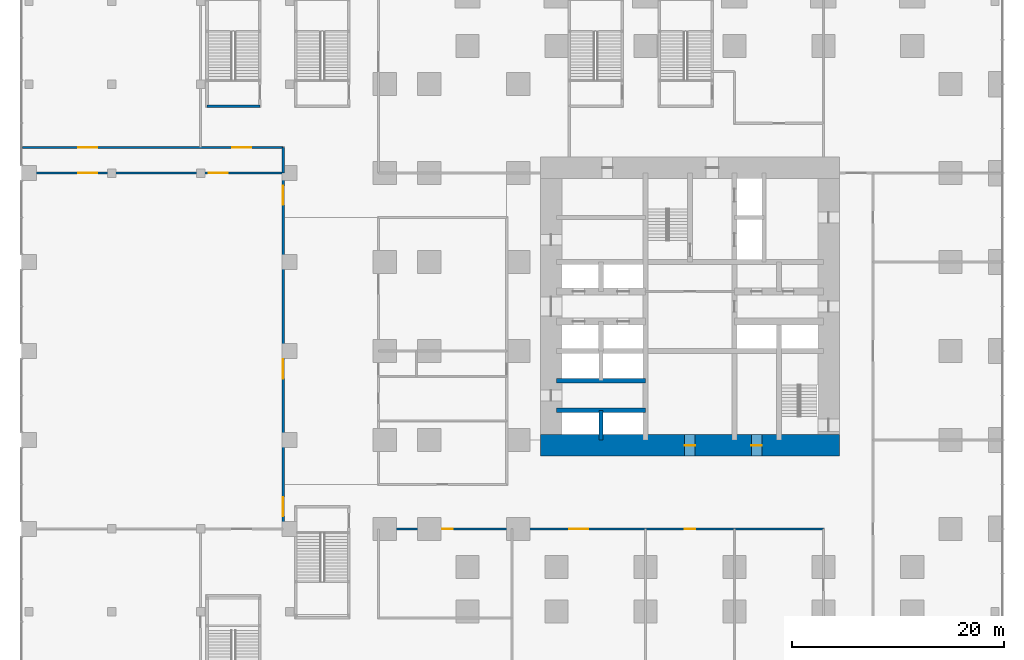
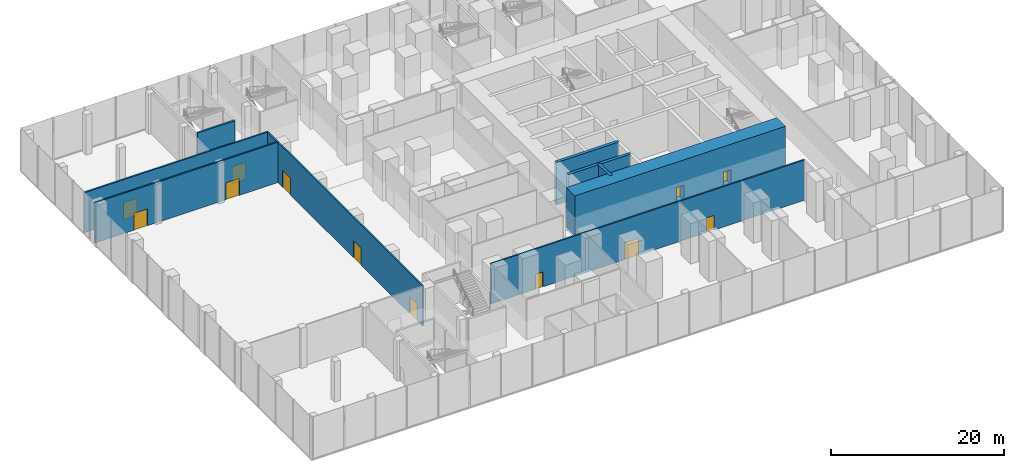
# One storey, part 26 of 32: 12 doors, 10 walls, 12 openings.
"""IFC4 building model written with IfcOpenShell, lengths in metres."""

import ifcopenshell
import ifcopenshell.guid

model = None  # the IFC model being written
_history = None  # IfcOwnerHistory: only IFC2X3 demands one
_inside = {}  # id of a spatial element -> (the spatial element, [elements in it])
_under = {}  # id of a project, library or spatial element -> (it, [spatial elements below it])
_declared = {}  # id of a project -> (the project, [libraries it declares])
_typed = {}  # id of a type object -> (the type object, [elements of that type])
_made_of = {}  # id of a material, layer set ... -> (it, [elements and type objects made of it])


def new_model(schema):
    """Start an empty IFC model of exactly this schema.

    Asked for "IFC4X3", IfcOpenShell would pick the latest addendum, in which some entities
    have other attributes; the version numbers below select the first issue.
    IFC2X3 requires an IfcOwnerHistory on every rooted entity: one is made here for all.
    """
    global model, _history
    if schema == "IFC4X3":
        model = ifcopenshell.file(schema_version=(4, 3, 0, 0))
    else:
        model = ifcopenshell.file(schema=schema)
    _inside.clear()
    _under.clear()
    _declared.clear()
    _typed.clear()
    _made_of.clear()
    _history = None
    if model.schema == "IFC2X3":
        org = make("IfcOrganization", Name="unknown")
        user = make(
            "IfcPersonAndOrganization",
            ThePerson=make("IfcPerson", FamilyName="unknown"),
            TheOrganization=org,
        )
        app = make(
            "IfcApplication",
            ApplicationDeveloper=org,
            Version="unknown",
            ApplicationFullName="unknown",
            ApplicationIdentifier="unknown",
        )
        _history = make(
            "IfcOwnerHistory",
            OwningUser=user,
            OwningApplication=app,
            ChangeAction="ADDED",
            CreationDate=0,
        )
    return model


def make(cls, **values):
    """One entity of the class cls with the attributes given. An attribute that is None is left unset."""
    return model.create_entity(
        cls, **{name: value for name, value in values.items() if value is not None}
    )


def rooted(cls, **values):
    """An entity with a GlobalId (a new one), such as an element, a storey or a relation."""
    return make(cls, GlobalId=ifcopenshell.guid.new(), OwnerHistory=_history, **values)


def si_unit(unit_type, name, prefix=None):
    """IfcSIUnit, for example si_unit("LENGTHUNIT", "METRE", prefix="MILLI")."""
    return make("IfcSIUnit", UnitType=unit_type, Prefix=prefix, Name=name)


def assignment(units):
    """IfcUnitAssignment: the units of a project."""
    return None if units is None else make("IfcUnitAssignment", Units=units)


def point(xyz):
    """IfcCartesianPoint."""
    return None if xyz is None else make("IfcCartesianPoint", Coordinates=xyz)


def direction(xyz):
    """IfcDirection."""
    return None if xyz is None else make("IfcDirection", DirectionRatios=xyz)


def frame(location, z_axis=None, x_axis=None):
    """IfcAxis2Placement3D, a coordinate frame: its origin and axes. An axis left out is left unset."""
    return make(
        "IfcAxis2Placement3D",
        Location=point(location),
        Axis=direction(z_axis),
        RefDirection=direction(x_axis),
    )


def frame_2d(location, x_axis=None):
    """IfcAxis2Placement2D, a coordinate frame in the plane: its origin and x axis."""
    return make(
        "IfcAxis2Placement2D", Location=point(location), RefDirection=direction(x_axis)
    )


def origin():
    """The frame at (0, 0, 0) with its axes left unset."""
    return frame((0.0, 0.0, 0.0))


def place(relative_to, where):
    """IfcLocalPlacement: puts the frame where relative to a parent placement (None: the world)."""
    return make(
        "IfcLocalPlacement", PlacementRelTo=relative_to, RelativePlacement=where
    )


def context(
    kind, dimensions, precision=None, world=None, true_north=None, identifier=None
):
    """IfcGeometricRepresentationContext, for example the 3D "Model" context."""
    return make(
        "IfcGeometricRepresentationContext",
        ContextIdentifier=identifier,
        ContextType=kind,
        CoordinateSpaceDimension=dimensions,
        Precision=precision,
        WorldCoordinateSystem=world,
        TrueNorth=true_north,
    )


def subcontext(parent, identifier, kind, view, scale=None):
    """IfcGeometricRepresentationSubContext, for example "Body" below "Model"."""
    return make(
        "IfcGeometricRepresentationSubContext",
        ContextIdentifier=identifier,
        ContextType=kind,
        ParentContext=parent,
        TargetScale=scale,
        TargetView=view,
    )


def project(units=None, contexts=None):
    """IfcProject with its units and contexts."""
    return rooted(
        "IfcProject",
        Name="project",
        RepresentationContexts=contexts,
        UnitsInContext=assignment(units),
    )


def spatial(cls, under=None, at=None, **own):
    """A site, building, storey or space (cls), placed at a placement, below another one or the project."""
    s = rooted(cls, ObjectPlacement=at, **own)
    if under is not None:
        _under.setdefault(under.id(), (under, []))[1].append(s)
    return s


def profile(cls, at=None, kind="AREA", **sizes):
    """A parametric profile (cls). Its sizes go by their IFC names, for example OverallWidth=200.0."""
    return make(cls, ProfileType=kind, Position=at, **sizes)


def rectangle(**sizes):
    """IfcRectangleProfileDef."""
    return profile("IfcRectangleProfileDef", **sizes)


def extrude(swept, where, along, depth):
    """IfcExtrudedAreaSolid: the profile swept, set in the frame where, extruded along a direction by depth."""
    return make(
        "IfcExtrudedAreaSolid",
        SweptArea=swept,
        Position=where,
        ExtrudedDirection=direction(along),
        Depth=depth,
    )


def shape(context_of_items, identifier, shape_type, items):
    """IfcShapeRepresentation: the items that make up one representation, for example the "Body"."""
    return make(
        "IfcShapeRepresentation",
        ContextOfItems=context_of_items,
        RepresentationIdentifier=identifier,
        RepresentationType=shape_type,
        Items=items,
    )


def material(Name=None, Category=None):
    """IfcMaterial."""
    return make("IfcMaterial", Name=Name, Category=Category)


def layer(
    of_material, thickness, ventilated=None, Name=None, Category=None, Priority=None
):
    """IfcMaterialLayer: one layer of a wall or slab, of a material (None: an air gap)."""
    return make(
        "IfcMaterialLayer",
        Material=of_material,
        LayerThickness=thickness,
        IsVentilated=ventilated,
        Name=Name,
        Category=Category,
        Priority=Priority,
    )


def layer_set(layers, Name=None):
    """IfcMaterialLayerSet."""
    return make("IfcMaterialLayerSet", MaterialLayers=layers, LayerSetName=Name)


def made_of(thing, what):
    """Note that an element or type object is made of a material, layer set ...; save() writes the relation."""
    if what is not None:
        _made_of.setdefault(what.id(), (what, []))[1].append(thing)
    return thing


def type_object(cls, material=None, **own):
    """A type object (cls), such as IfcWallType, which elements share."""
    return made_of(rooted(cls, **own), material)


def element(
    cls,
    number,
    at=None,
    inside=None,
    cuts=None,
    type_object=None,
    material=None,
    context=None,
    identifier="Body",
    shape_type=None,
    held_by="IfcProductDefinitionShape",
    body=None,
    shapes=None,
    **own,
):
    """One element of the class cls, such as IfcWall. Its Tag is "e" and its number.

    at: its placement. inside: the storey or other place that contains it. cuts: it is an
    opening in that element (IfcRelVoidsElement). A single representation is given by context,
    identifier, shape_type and body (its items); several are given by shapes. held_by: the class
    of the entity that holds the representations. save() writes the other relations.
    """
    e = rooted(cls, Tag="e%d" % number, ObjectPlacement=at, **own)
    if body is not None:
        shapes = [shape(context, identifier, shape_type, body)]
    if shapes is not None:
        e.Representation = make(held_by, Representations=shapes)
    if inside is not None:
        _inside.setdefault(inside.id(), (inside, []))[1].append(e)
    if cuts is not None:
        rooted(
            "IfcRelVoidsElement", RelatingBuildingElement=cuts, RelatedOpeningElement=e
        )
    if type_object is not None:
        _typed.setdefault(type_object.id(), (type_object, []))[1].append(e)
    return made_of(e, material)


def fill(opening, filler):
    """IfcRelFillsElement: the door or window that sits in an opening."""
    return rooted(
        "IfcRelFillsElement",
        RelatingOpeningElement=opening,
        RelatedBuildingElement=filler,
    )


def aggregate(whole, parts):
    """IfcRelAggregates: a whole, such as a stair, and the parts it consists of."""
    return rooted("IfcRelAggregates", RelatingObject=whole, RelatedObjects=parts)


def save(model, path):
    """Write the relations noted so far, then the file.

    IfcRelAggregates (storeys below a building ...), IfcRelContainedInSpatialStructure (elements
    in a storey), IfcRelDefinesByType, IfcRelAssociatesMaterial and IfcRelDeclares: one each for
    every whole, place, type object, material and project.
    """
    for whole, parts in _under.values():
        aggregate(whole, parts)
    for where, things in _inside.values():
        rooted(
            "IfcRelContainedInSpatialStructure",
            RelatedElements=things,
            RelatingStructure=where,
        )
    for kind, things in _typed.values():
        rooted("IfcRelDefinesByType", RelatedObjects=things, RelatingType=kind)
    for what, things in _made_of.values():
        rooted("IfcRelAssociatesMaterial", RelatedObjects=things, RelatingMaterial=what)
    for by, libraries in _declared.values():
        rooted("IfcRelDeclares", RelatingContext=by, RelatedDefinitions=libraries)
    model.write(path)


model = new_model("IFC4")

# Units and contexts
model_context = context("Model", 3, precision=1e-05, world=origin(), true_north=direction((0.0, 1.0)))
body_context = subcontext(model_context, "Body", "Model", "MODEL_VIEW")
ifc_project = project(units=[si_unit("LENGTHUNIT", "METRE"), si_unit("AREAUNIT", "SQUARE_METRE"), si_unit("VOLUMEUNIT", "CUBIC_METRE"), si_unit("PLANEANGLEUNIT", "RADIAN"), si_unit("MASSUNIT", "GRAM", prefix="KILO")], contexts=[model_context])

# Site, building, storey
site_placement = place(None, origin())
site = spatial("IfcSite", under=ifc_project, at=site_placement, CompositionType="ELEMENT")
building_placement = place(site_placement, origin())
building = spatial("IfcBuilding", under=site, at=building_placement, Name="Dunama Terrace Hotel", CompositionType="ELEMENT")
storey_placement = place(building_placement, frame((0.0, 0.0, 6.0)))
storey = spatial("IfcBuildingStorey", under=building, at=storey_placement, Name="L01", CompositionType="ELEMENT", Elevation=6.0)

# Walls
ifc_material_1 = material(Name="Concrete C50/60", Category="concrete")
ifc_layer_1 = layer(ifc_material_1, 0.39990234375)
ifc_layer_set_1 = layer_set([ifc_layer_1], Name="Core inner wall 400")
wall_type_1 = type_object("IfcWallType", Name="Core inner wall 400", PredefinedType="SHEAR", material=ifc_layer_set_1)
wall_1_placement = place(storey_placement, frame((21.0, 16.800048828125, -0.300048828125), z_axis=(0.0, 0.0, 1.0), x_axis=(0.0, 1.0, 0.0)))
element("IfcWall", 1, at=wall_1_placement, inside=storey, type_object=wall_type_1, Name="Core inner wall 400 L01", PredefinedType="SHEAR", context=body_context, shape_type="SweptSolid", body=[
    extrude(rectangle(XDim=2.800048828125, YDim=0.39990234375, at=frame_2d((1.39990234375, 0.0))), origin(), (0.0, 0.0, 1.0), 6.0),
])
for number, where, z_axis, x_axis, name in (
    (2, (16.800048828125, 19.60009765625, -0.300048828125), (0.0, 0.0, 1.0), (1.0, 0.0, 0.0), "Core inner wall 400 L01"),
    (3, (16.800048828125, 22.39990234375, -0.300048828125), (0.0, 0.0, 1.0), (1.0, 0.0, 0.0), "Core inner wall 400 L01"),
):
    element("IfcWall", number, at=place(storey_placement, frame(where, z_axis=z_axis, x_axis=x_axis)), inside=storey, type_object=wall_type_1, Name=name, PredefinedType="SHEAR", context=body_context, shape_type="SweptSolid", body=[
        extrude(rectangle(XDim=8.39990234375, YDim=0.39990234375, at=frame_2d((4.199951171875, 0.0))), origin(), (0.0, 0.0, 1.0), 6.0),
    ])

# Wall, openings, doors
ifc_material_2 = material(Name="Concrete C60/75", Category="concrete")
ifc_layer_2 = layer(ifc_material_2, 2.0)
ifc_layer_set_2 = layer_set([ifc_layer_2], Name="Core wall 2000")
wall_type_2 = type_object("IfcWallType", Name="Core wall 2000", PredefinedType="SHEAR", material=ifc_layer_set_2)
wall_2_placement = place(storey_placement, frame((15.300048828125, 16.300048828125, -0.300048828125), z_axis=(0.0, 0.0, 1.0), x_axis=(1.0, 0.0, 0.0)))
wall_2 = element("IfcWall", 4, at=wall_2_placement, inside=storey, type_object=wall_type_2, Name="Core wall south L01", PredefinedType="SHEAR", context=body_context, shape_type="SweptSolid", body=[
    extrude(rectangle(XDim=28.199951171875, YDim=2.0, at=frame_2d((14.10009765625, 0.0))), origin(), (0.0, 0.0, 1.0), 6.0),
])
opening_1_placement = place(wall_2_placement, frame((13.60009765625, 0.0, 0.300048828125)))
opening_1 = element("IfcOpeningElement", 5, at=opening_1_placement, cuts=wall_2, Name="Opening L01-026", PredefinedType="OPENING", context=body_context, shape_type="SweptSolid", body=[
    extrude(rectangle(XDim=1.0, YDim=2.10009765625, at=frame_2d((0.5, 1.050048828125))), frame((0.0, 1.010009765625, 0.0), z_axis=(0.0, -1.0, 0.0), x_axis=(1.0, 0.0, 0.0)), (0.0, 0.0, 1.0), 2.02001953125),
])
opening_2_placement = place(wall_2_placement, frame((19.89990234375, 0.0, 0.300048828125)))
opening_2 = element("IfcOpeningElement", 6, at=opening_2_placement, cuts=wall_2, Name="Opening L01-027", PredefinedType="OPENING", context=body_context, shape_type="SweptSolid", body=[
    extrude(rectangle(XDim=1.0, YDim=2.10009765625, at=frame_2d((0.5, 1.050048828125))), frame((0.0, 1.010009765625, 0.0), z_axis=(0.0, -1.0, 0.0), x_axis=(1.0, 0.0, 0.0)), (0.0, 0.0, 1.0), 2.02001953125),
])
ifc_material_3 = material(Name="Timber door with steel frame", Category="steel")
door_type_1 = type_object("IfcDoorType", Name="Service door 1000", OperationType="SINGLE_SWING_LEFT", PredefinedType="DOOR", material=ifc_material_3)
door_1_placement = place(opening_1_placement, origin())
door_1 = element("IfcDoor", 7, at=door_1_placement, inside=storey, type_object=door_type_1, Name="Door to floor air handling room L01-026, type D7", OperationType="SINGLE_SWING_RIGHT", OverallHeight=2.10009765625, OverallWidth=1.0, PredefinedType="DOOR", context=body_context, shape_type="SweptSolid", body=[
    extrude(rectangle(XDim=1.0, YDim=2.10009765625, at=frame_2d((0.5, 1.050048828125))), frame((0.0, 0.02490234375, 0.0), z_axis=(0.0, -1.0, 0.0), x_axis=(1.0, 0.0, 0.0)), (0.0, 0.0, 1.0), 0.050048828125),
])
fill(opening_1, door_1)
door_2_placement = place(opening_2_placement, origin())
door_2 = element("IfcDoor", 8, at=door_2_placement, inside=storey, type_object=door_type_1, Name="Door to water riser room L01-027, type D7", OperationType="SINGLE_SWING_RIGHT", OverallHeight=2.10009765625, OverallWidth=1.0, PredefinedType="DOOR", context=body_context, shape_type="SweptSolid", body=[
    extrude(rectangle(XDim=1.0, YDim=2.10009765625, at=frame_2d((0.5, 1.050048828125))), frame((0.0, 0.02490234375, 0.0), z_axis=(0.0, -1.0, 0.0), x_axis=(1.0, 0.0, 0.0)), (0.0, 0.0, 1.0), 0.050048828125),
])
fill(opening_2, door_2)

# Wall
ifc_material_4 = material(Name="Concrete blockwork", Category="masonry")
ifc_layer_3 = layer(ifc_material_4, 0.199951171875)
ifc_layer_set_3 = layer_set([ifc_layer_3], Name="Corridor partition 200")
wall_type_3 = type_object("IfcWallType", Name="Corridor partition 200", PredefinedType="PARTITIONING", material=ifc_layer_set_3)
wall_3_placement = place(storey_placement, frame((-9.0, 42.0, 0.0), z_axis=(0.0, 0.0, 1.0), x_axis=(0.0, 1.0, 0.0)))
element("IfcWall", 9, at=wall_3_placement, inside=storey, type_object=wall_type_3, Name="Corridor partition 200 L01", PredefinedType="PARTITIONING", context=body_context, shape_type="SweptSolid", body=[
    extrude(rectangle(XDim=2.39990234375, YDim=0.199951171875, at=frame_2d((1.199951171875, 0.0))), origin(), (0.0, 0.0, 1.0), 5.699951171875),
])

# Wall, openings, doors
wall_4_placement = place(storey_placement, frame((0.0, 8.39990234375, 0.0), z_axis=(0.0, 0.0, 1.0), x_axis=(1.0, 0.0, 0.0)))
wall_4 = element("IfcWall", 10, at=wall_4_placement, inside=storey, type_object=wall_type_3, Name="Corridor partition 200 L01", PredefinedType="PARTITIONING", context=body_context, shape_type="SweptSolid", body=[
    extrude(rectangle(XDim=42.0, YDim=0.199951171875, at=frame_2d((21.0, 0.0))), origin(), (0.0, 0.0, 1.0), 5.699951171875),
])
opening_3_placement = place(wall_4_placement, frame((6.0, 0.0, 0.0)))
opening_3 = element("IfcOpeningElement", 11, at=opening_3_placement, cuts=wall_4, Name="Opening L01-049", PredefinedType="OPENING", context=body_context, shape_type="SweptSolid", body=[
    extrude(rectangle(XDim=1.0, YDim=2.10009765625, at=frame_2d((0.5, 1.050048828125))), frame((0.0, 0.10986328125, 0.0), z_axis=(0.0, -1.0, 0.0), x_axis=(1.0, 0.0, 0.0)), (0.0, 0.0, 1.0), 0.219970703125),
])
opening_4_placement = place(wall_4_placement, frame((18.0, 0.0, 0.0)))
opening_4 = element("IfcOpeningElement", 12, at=opening_4_placement, cuts=wall_4, Name="Opening L01-050", PredefinedType="OPENING", context=body_context, shape_type="SweptSolid", body=[
    extrude(rectangle(XDim=1.800048828125, YDim=2.39990234375, at=frame_2d((0.89990234375, 1.199951171875))), frame((0.0, 0.10986328125, 0.0), z_axis=(0.0, -1.0, 0.0), x_axis=(1.0, 0.0, 0.0)), (0.0, 0.0, 1.0), 0.219970703125),
])
opening_5_placement = place(wall_4_placement, frame((28.89990234375, 0.0, 0.0)))
opening_5 = element("IfcOpeningElement", 13, at=opening_5_placement, cuts=wall_4, Name="Opening L01-051", PredefinedType="OPENING", context=body_context, shape_type="SweptSolid", body=[
    extrude(rectangle(XDim=1.0, YDim=2.10009765625, at=frame_2d((0.5, 1.050048828125))), frame((0.0, 0.10986328125, 0.0), z_axis=(0.0, -1.0, 0.0), x_axis=(1.0, 0.0, 0.0)), (0.0, 0.0, 1.0), 0.219970703125),
])
ifc_material_5 = material(Name="Aluminium-framed glazed door", Category="aluminium")
door_type_2 = type_object("IfcDoorType", Name="Glazed double door 1800", OperationType="DOUBLE_DOOR_DOUBLE_SWING", PredefinedType="DOOR", material=ifc_material_5)
door_3_placement = place(opening_4_placement, origin())
door_3 = element("IfcDoor", 14, at=door_3_placement, inside=storey, type_object=door_type_2, Name="Door to bridal preparation lounge L01-050, type D8", OperationType="DOUBLE_DOOR_DOUBLE_SWING", OverallHeight=2.39990234375, OverallWidth=1.800048828125, PredefinedType="DOOR", context=body_context, shape_type="SweptSolid", body=[
    extrude(rectangle(XDim=1.800048828125, YDim=2.39990234375, at=frame_2d((0.89990234375, 1.199951171875))), frame((0.0, 0.02490234375, 0.0), z_axis=(0.0, -1.0, 0.0), x_axis=(1.0, 0.0, 0.0)), (0.0, 0.0, 1.0), 0.050048828125),
])
fill(opening_4, door_3)
door_4_placement = place(opening_3_placement, frame((1.0, 0.0, 0.0), z_axis=(0.0, 0.0, 1.0), x_axis=(-1.0, 0.0, 0.0)))
door_4 = element("IfcDoor", 15, at=door_4_placement, inside=storey, type_object=door_type_1, Name="Door to event planning office L01-049, type D7", OperationType="SINGLE_SWING_RIGHT", OverallHeight=2.10009765625, OverallWidth=1.0, PredefinedType="DOOR", context=body_context, shape_type="SweptSolid", body=[
    extrude(rectangle(XDim=1.0, YDim=2.10009765625, at=frame_2d((0.5, 1.050048828125))), frame((0.0, 0.025146484375, 0.0), z_axis=(0.0, -1.0, 0.0), x_axis=(1.0, 0.0, 0.0)), (0.0, 0.0, 1.0), 0.050048828125),
])
fill(opening_3, door_4)
door_5_placement = place(opening_5_placement, frame((1.0, 0.0, 0.0), z_axis=(0.0, 0.0, 1.0), x_axis=(-1.0, 0.0, 0.0)))
door_5 = element("IfcDoor", 16, at=door_5_placement, inside=storey, type_object=door_type_1, Name="Door to banquet sales office L01-051, type D7", OperationType="SINGLE_SWING_RIGHT", OverallHeight=2.10009765625, OverallWidth=1.0, PredefinedType="DOOR", context=body_context, shape_type="SweptSolid", body=[
    extrude(rectangle(XDim=1.0, YDim=2.10009765625, at=frame_2d((0.5, 1.050048828125))), frame((0.0, 0.025146484375, 0.0), z_axis=(0.0, -1.0, 0.0), x_axis=(1.0, 0.0, 0.0)), (0.0, 0.0, 1.0), 0.050048828125),
])
fill(opening_5, door_5)

wall_5_placement = place(storey_placement, frame((-33.60009765625, 42.0, 0.0), z_axis=(0.0, 0.0, 1.0), x_axis=(1.0, 0.0, 0.0)))
wall_5 = element("IfcWall", 17, at=wall_5_placement, inside=storey, type_object=wall_type_3, Name="Corridor partition 200 L01", PredefinedType="PARTITIONING", context=body_context, shape_type="SweptSolid", body=[
    extrude(rectangle(XDim=24.60009765625, YDim=0.199951171875, at=frame_2d((12.300048828125, 0.0))), origin(), (0.0, 0.0, 1.0), 5.699951171875),
])
opening_6_placement = place(wall_5_placement, frame((5.25, 0.0, 0.0)))
opening_6 = element("IfcOpeningElement", 18, at=opening_6_placement, cuts=wall_5, Name="Opening L01-033", PredefinedType="OPENING", context=body_context, shape_type="SweptSolid", body=[
    extrude(rectangle(XDim=1.800048828125, YDim=2.39990234375, at=frame_2d((0.89990234375, 1.199951171875))), frame((0.0, 0.10986328125, 0.0), z_axis=(0.0, -1.0, 0.0), x_axis=(1.0, 0.0, 0.0)), (0.0, 0.0, 1.0), 0.219970703125),
])
opening_7_placement = place(wall_5_placement, frame((17.550048828125, 0.0, 0.0)))
opening_7 = element("IfcOpeningElement", 19, at=opening_7_placement, cuts=wall_5, Name="Opening L01-034", PredefinedType="OPENING", context=body_context, shape_type="SweptSolid", body=[
    extrude(rectangle(XDim=1.800048828125, YDim=2.39990234375, at=frame_2d((0.89990234375, 1.199951171875))), frame((0.0, 0.10986328125, 0.0), z_axis=(0.0, -1.0, 0.0), x_axis=(1.0, 0.0, 0.0)), (0.0, 0.0, 1.0), 0.219970703125),
])
door_6_placement = place(opening_6_placement, origin())
door_6 = element("IfcDoor", 20, at=door_6_placement, inside=storey, type_object=door_type_2, Name="Door to banquet service corridor L01-033, type D8", OperationType="DOUBLE_DOOR_DOUBLE_SWING", OverallHeight=2.39990234375, OverallWidth=1.800048828125, PredefinedType="DOOR", context=body_context, shape_type="SweptSolid", body=[
    extrude(rectangle(XDim=1.800048828125, YDim=2.39990234375, at=frame_2d((0.89990234375, 1.199951171875))), frame((0.0, 0.02490234375, 0.0), z_axis=(0.0, -1.0, 0.0), x_axis=(1.0, 0.0, 0.0)), (0.0, 0.0, 1.0), 0.050048828125),
])
fill(opening_6, door_6)
door_7_placement = place(opening_7_placement, origin())
door_7 = element("IfcDoor", 21, at=door_7_placement, inside=storey, type_object=door_type_2, Name="Door to banquet service corridor L01-034, type D8", OperationType="DOUBLE_DOOR_DOUBLE_SWING", OverallHeight=2.39990234375, OverallWidth=1.800048828125, PredefinedType="DOOR", context=body_context, shape_type="SweptSolid", body=[
    extrude(rectangle(XDim=1.800048828125, YDim=2.39990234375, at=frame_2d((0.89990234375, 1.199951171875))), frame((0.0, 0.02490234375, 0.0), z_axis=(0.0, -1.0, 0.0), x_axis=(1.0, 0.0, 0.0)), (0.0, 0.0, 1.0), 0.050048828125),
])
fill(opening_7, door_7)

wall_6_placement = place(storey_placement, frame((-33.623046875, 44.39990234375, 0.0), z_axis=(0.0, 0.0, 1.0), x_axis=(1.0, 0.0, 0.0)))
wall_6 = element("IfcWall", 22, at=wall_6_placement, inside=storey, type_object=wall_type_3, Name="Corridor partition 200 L01", PredefinedType="PARTITIONING", context=body_context, shape_type="SweptSolid", body=[
    extrude(rectangle(XDim=24.623046875, YDim=0.199951171875, at=frame_2d((12.3115234375, 0.0))), origin(), (0.0, 0.0, 1.0), 5.699951171875),
])
opening_8_placement = place(wall_6_placement, frame((5.27294921875, 0.0, 0.0)))
opening_8 = element("IfcOpeningElement", 23, at=opening_8_placement, cuts=wall_6, Name="Opening L01-032", PredefinedType="OPENING", context=body_context, shape_type="SweptSolid", body=[
    extrude(rectangle(XDim=1.800048828125, YDim=2.39990234375, at=frame_2d((0.89990234375, 1.199951171875))), frame((0.0, 0.10986328125, 0.0), z_axis=(0.0, -1.0, 0.0), x_axis=(1.0, 0.0, 0.0)), (0.0, 0.0, 1.0), 0.219970703125),
])
opening_9_placement = place(wall_6_placement, frame((19.822998046875, 0.0, 0.0)))
opening_9 = element("IfcOpeningElement", 24, at=opening_9_placement, cuts=wall_6, Name="Opening L01-035", PredefinedType="OPENING", context=body_context, shape_type="SweptSolid", body=[
    extrude(rectangle(XDim=1.800048828125, YDim=2.39990234375, at=frame_2d((0.89990234375, 1.199951171875))), frame((0.0, 0.10986328125, 0.0), z_axis=(0.0, -1.0, 0.0), x_axis=(1.0, 0.0, 0.0)), (0.0, 0.0, 1.0), 0.219970703125),
])
door_8_placement = place(opening_8_placement, origin())
door_8 = element("IfcDoor", 25, at=door_8_placement, inside=storey, type_object=door_type_2, Name="Door to banquet kitchen L01-032, type D8", OperationType="DOUBLE_DOOR_DOUBLE_SWING", OverallHeight=2.39990234375, OverallWidth=1.800048828125, PredefinedType="DOOR", context=body_context, shape_type="SweptSolid", body=[
    extrude(rectangle(XDim=1.800048828125, YDim=2.39990234375, at=frame_2d((0.89990234375, 1.199951171875))), frame((0.0, 0.02490234375, 0.0), z_axis=(0.0, -1.0, 0.0), x_axis=(1.0, 0.0, 0.0)), (0.0, 0.0, 1.0), 0.050048828125),
])
fill(opening_8, door_8)
door_9_placement = place(opening_9_placement, origin())
door_9 = element("IfcDoor", 26, at=door_9_placement, inside=storey, type_object=door_type_2, Name="Door to banquet service corridor L01-035, type D8", OperationType="DOUBLE_DOOR_DOUBLE_SWING", OverallHeight=2.39990234375, OverallWidth=1.800048828125, PredefinedType="DOOR", context=body_context, shape_type="SweptSolid", body=[
    extrude(rectangle(XDim=1.800048828125, YDim=2.39990234375, at=frame_2d((0.89990234375, 1.199951171875))), frame((0.0, 0.02490234375, 0.0), z_axis=(0.0, -1.0, 0.0), x_axis=(1.0, 0.0, 0.0)), (0.0, 0.0, 1.0), 0.050048828125),
])
fill(opening_9, door_9)

wall_7_placement = place(storey_placement, frame((-9.0, 42.0, 0.0), z_axis=(0.0, 0.0, 1.0), x_axis=(0.0, -1.0, 0.0)))
wall_7 = element("IfcWall", 27, at=wall_7_placement, inside=storey, type_object=wall_type_3, Name="Corridor partition 200 L01", PredefinedType="PARTITIONING", context=body_context, shape_type="SweptSolid", body=[
    extrude(rectangle(XDim=33.60009765625, YDim=0.199951171875, at=frame_2d((16.800048828125, 0.0))), origin(), (0.0, 0.0, 1.0), 5.699951171875),
])
opening_10_placement = place(wall_7_placement, frame((17.60009765625, 0.0, 0.0)))
opening_10 = element("IfcOpeningElement", 28, at=opening_10_placement, cuts=wall_7, Name="Opening L01-028", PredefinedType="OPENING", context=body_context, shape_type="SweptSolid", body=[
    extrude(rectangle(XDim=1.800048828125, YDim=2.39990234375, at=frame_2d((0.89990234375, 1.199951171875))), frame((0.0, 0.10986328125, 0.0), z_axis=(0.0, -1.0, 0.0), x_axis=(1.0, 0.0, 0.0)), (0.0, 0.0, 1.0), 0.219970703125),
])
opening_11_placement = place(wall_7_placement, frame((1.199951171875, 0.0, 0.0)))
opening_11 = element("IfcOpeningElement", 29, at=opening_11_placement, cuts=wall_7, Name="Opening L01-030", PredefinedType="OPENING", context=body_context, shape_type="SweptSolid", body=[
    extrude(rectangle(XDim=1.800048828125, YDim=2.39990234375, at=frame_2d((0.89990234375, 1.199951171875))), frame((0.0, 0.10986328125, 0.0), z_axis=(0.0, -1.0, 0.0), x_axis=(1.0, 0.0, 0.0)), (0.0, 0.0, 1.0), 0.219970703125),
])
opening_12_placement = place(wall_7_placement, frame((30.60009765625, 0.0, 0.0)))
opening_12 = element("IfcOpeningElement", 30, at=opening_12_placement, cuts=wall_7, Name="Opening L01-031", PredefinedType="OPENING", context=body_context, shape_type="SweptSolid", body=[
    extrude(rectangle(XDim=1.800048828125, YDim=2.39990234375, at=frame_2d((0.89990234375, 1.199951171875))), frame((0.0, 0.10986328125, 0.0), z_axis=(0.0, -1.0, 0.0), x_axis=(1.0, 0.0, 0.0)), (0.0, 0.0, 1.0), 0.219970703125),
])
door_10_placement = place(opening_10_placement, origin())
door_10 = element("IfcDoor", 31, at=door_10_placement, inside=storey, type_object=door_type_2, Name="Door to ballroom L01-028, type D8", OperationType="DOUBLE_DOOR_DOUBLE_SWING", OverallHeight=2.39990234375, OverallWidth=1.800048828125, PredefinedType="DOOR", context=body_context, shape_type="SweptSolid", body=[
    extrude(rectangle(XDim=1.800048828125, YDim=2.39990234375, at=frame_2d((0.89990234375, 1.199951171875))), frame((0.0, 0.02490234375, 0.0), z_axis=(0.0, -1.0, 0.0), x_axis=(1.0, 0.0, 0.0)), (0.0, 0.0, 1.0), 0.050048828125),
])
fill(opening_10, door_10)
door_11_placement = place(opening_11_placement, origin())
door_11 = element("IfcDoor", 32, at=door_11_placement, inside=storey, type_object=door_type_2, Name="Door to ballroom L01-030, type D8", OperationType="DOUBLE_DOOR_DOUBLE_SWING", OverallHeight=2.39990234375, OverallWidth=1.800048828125, PredefinedType="DOOR", context=body_context, shape_type="SweptSolid", body=[
    extrude(rectangle(XDim=1.800048828125, YDim=2.39990234375, at=frame_2d((0.89990234375, 1.199951171875))), frame((0.0, 0.02490234375, 0.0), z_axis=(0.0, -1.0, 0.0), x_axis=(1.0, 0.0, 0.0)), (0.0, 0.0, 1.0), 0.050048828125),
])
fill(opening_11, door_11)
door_12_placement = place(opening_12_placement, origin())
door_12 = element("IfcDoor", 33, at=door_12_placement, inside=storey, type_object=door_type_2, Name="Door to ballroom L01-031, type D8", OperationType="DOUBLE_DOOR_DOUBLE_SWING", OverallHeight=2.39990234375, OverallWidth=1.800048828125, PredefinedType="DOOR", context=body_context, shape_type="SweptSolid", body=[
    extrude(rectangle(XDim=1.800048828125, YDim=2.39990234375, at=frame_2d((0.89990234375, 1.199951171875))), frame((0.0, 0.02490234375, 0.0), z_axis=(0.0, -1.0, 0.0), x_axis=(1.0, 0.0, 0.0)), (0.0, 0.0, 1.0), 0.050048828125),
])
fill(opening_12, door_12)

# Wall
ifc_material_6 = material(Name="Concrete blockwork", Category="masonry")
ifc_layer_4 = layer(ifc_material_6, 0.25)
ifc_layer_set_4 = layer_set([ifc_layer_4], Name="Stair enclosure wall 250")
wall_type_4 = type_object("IfcWallType", Name="Stair enclosure wall 250", PredefinedType="PARTITIONING", material=ifc_layer_set_4)
wall_8_placement = place(storey_placement, frame((-16.199951171875, 48.300048828125, 0.0), z_axis=(0.0, 0.0, 1.0), x_axis=(1.0, 0.0, 0.0)))
element("IfcWall", 34, at=wall_8_placement, inside=storey, type_object=wall_type_4, Name="Stair enclosure wall 250 L01", PredefinedType="PARTITIONING", context=body_context, shape_type="SweptSolid", body=[
    extrude(rectangle(XDim=5.0, YDim=0.25, at=frame_2d((2.5, 0.0))), origin(), (0.0, 0.0, 1.0), 5.699951171875),
])

save(model, "model.ifc")
